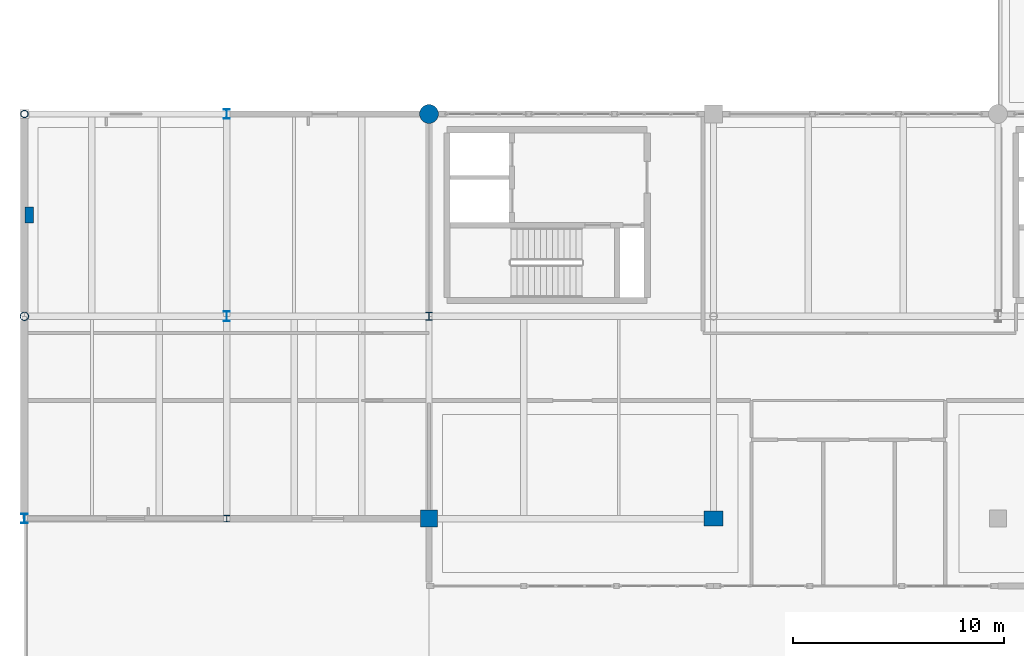
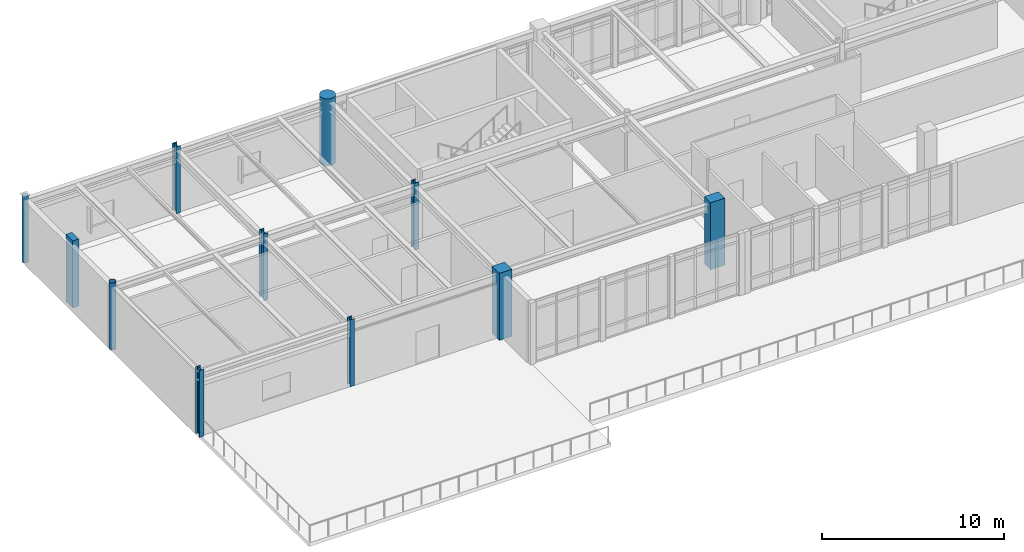
# One storey, part 1 of 55: 11 columns.
"""IFC4 building model written with IfcOpenShell, lengths in metres."""

from ifc_helpers import new_model, si_unit, direction, frame, origin, origin_2d, place, context, subcontext, project, spatial, rectangle, circle, hollow_circle, i_section, extrude, material, material_profile, profile_set, type_object, element, save


model = new_model("IFC4")

# Units and contexts
model_context = context("Model", 3, precision=1e-05, world=origin(), true_north=direction((0.0, 1.0)))
body_context = subcontext(model_context, "Body", "Model", "MODEL_VIEW")
ifc_project = project(units=[si_unit("LENGTHUNIT", "METRE"), si_unit("AREAUNIT", "SQUARE_METRE"), si_unit("VOLUMEUNIT", "CUBIC_METRE"), si_unit("PLANEANGLEUNIT", "RADIAN"), si_unit("MASSUNIT", "GRAM", prefix="KILO")], contexts=[model_context])

# Site, building, storey
site_placement = place(None, origin())
site = spatial("IfcSite", under=ifc_project, at=site_placement, CompositionType="ELEMENT")
building_placement = place(site_placement, origin())
building = spatial("IfcBuilding", under=site, at=building_placement, Name="Fikremerkos Civic Library", CompositionType="ELEMENT")
storey_placement = place(building_placement, frame((0.0, 0.0, 18.89990234375)))
storey = spatial("IfcBuildingStorey", under=building, at=storey_placement, Name="L04", CompositionType="ELEMENT", Elevation=18.89990234375)

# Columns
ifc_material_1 = material(Name="Concrete C40/50", Category="concrete")
ifc_material_profile_1 = material_profile(ifc_material_1, rectangle(XDim=0.800048828125, YDim=0.800048828125, at=origin_2d()), Name="RC 800x800")
ifc_profile_set_1 = profile_set([ifc_material_profile_1], Name="Concrete C40/50")
column_type_1 = type_object("IfcColumnType", Name="Structural column COL-05 RC 800x800", PredefinedType="COLUMN", material=ifc_profile_set_1)
column_1_placement = place(storey_placement, frame((19.199951171875, 12.0, 0.0), z_axis=(0.0, 0.0, 1.0), x_axis=(1.0, 0.0, 0.0)))
element("IfcColumn", 1, at=column_1_placement, inside=storey, type_object=column_type_1, Name="Column COL-05 L04 3/E", PredefinedType="COLUMN", context=body_context, shape_type="SweptSolid", body=[
    extrude(rectangle(XDim=0.800048828125, YDim=0.800048828125, at=origin_2d()), origin(), (0.0, 0.0, 1.0), 4.5),
])
ifc_material_profile_2 = material_profile(ifc_material_1, rectangle(XDim=0.89990234375, YDim=0.699951171875, at=origin_2d()), Name="RC 900x700")
ifc_profile_set_2 = profile_set([ifc_material_profile_2], Name="Concrete C40/50")
column_type_2 = type_object("IfcColumnType", Name="Structural column COL-13 RC 900x700", PredefinedType="COLUMN", material=ifc_profile_set_2)
column_2_placement = place(storey_placement, frame((32.699951171875, 12.0, 0.0), z_axis=(0.0, 0.0, 1.0), x_axis=(1.0, 0.0, 0.0)))
element("IfcColumn", 2, at=column_2_placement, inside=storey, type_object=column_type_2, Name="Column COL-13 L04 4/E", PredefinedType="COLUMN", context=body_context, shape_type="SweptSolid", body=[
    extrude(rectangle(XDim=0.89990234375, YDim=0.699951171875, at=origin_2d()), origin(), (0.0, 0.0, 1.0), 4.5),
])
ifc_material_2 = material(Name="Concrete C45/55", Category="concrete")
ifc_material_profile_3 = material_profile(ifc_material_2, circle(Radius=0.449951171875, at=origin_2d()), Name="RC D900")
ifc_profile_set_3 = profile_set([ifc_material_profile_3], Name="Concrete C45/55")
column_type_3 = type_object("IfcColumnType", Name="Structural column COL-17 RC D900", PredefinedType="COLUMN", material=ifc_profile_set_3)
column_3_placement = place(storey_placement, frame((19.199951171875, 31.199951171875, 0.0), z_axis=(0.0, 0.0, 1.0), x_axis=(1.0, 0.0, 0.0)))
element("IfcColumn", 3, at=column_3_placement, inside=storey, type_object=column_type_3, Name="Column COL-17 L04 3/G", PredefinedType="COLUMN", context=body_context, shape_type="SweptSolid", body=[
    extrude(circle(Radius=0.449951171875, at=origin_2d()), origin(), (0.0, 0.0, 1.0), 4.5),
])
ifc_material_3 = material(Name="Steel S355", Category="steel")
ifc_material_profile_4 = material_profile(ifc_material_3, i_section(OverallWidth=0.300048828125, OverallDepth=0.360107421875, WebThickness=0.012451171875, FlangeThickness=0.0224609375, FilletRadius=0.027099609375, at=origin_2d()), Name="HEB 360")
ifc_profile_set_4 = profile_set([ifc_material_profile_4], Name="Steel S355")
column_type_4 = type_object("IfcColumnType", Name="Structural column COL-25 HEB 360", PredefinedType="COLUMN", material=ifc_profile_set_4)
column_4_placement = place(storey_placement, frame((19.199951171875, 21.60009765625, 0.0), z_axis=(0.0, 0.0, 1.0), x_axis=(1.0, 0.0, 0.0)))
element("IfcColumn", 4, at=column_4_placement, inside=storey, type_object=column_type_4, Name="Column COL-25 L04 3/F", PredefinedType="COLUMN", context=body_context, shape_type="SweptSolid", body=[
    extrude(i_section(OverallWidth=0.300048828125, OverallDepth=0.360107421875, WebThickness=0.012451171875, FlangeThickness=0.0224609375, FilletRadius=0.027099609375, at=origin_2d()), origin(), (0.0, 0.0, 1.0), 4.5),
])
ifc_material_profile_5 = material_profile(ifc_material_3, i_section(OverallWidth=0.300048828125, OverallDepth=0.320068359375, WebThickness=0.011474609375, FlangeThickness=0.0205078125, FilletRadius=0.027099609375, at=origin_2d()), Name="HEB 320")
ifc_profile_set_5 = profile_set([ifc_material_profile_5], Name="Steel S355")
column_type_5 = type_object("IfcColumnType", Name="Structural column COL-26 HEB 320", PredefinedType="COLUMN", material=ifc_profile_set_5)
column_5_placement = place(storey_placement, frame((9.60009765625, 12.0, 0.0), z_axis=(0.0, 0.0, 1.0), x_axis=(1.0, 0.0, 0.0)))
element("IfcColumn", 5, at=column_5_placement, inside=storey, type_object=column_type_5, Name="Column COL-26 L04 2/E", PredefinedType="COLUMN", context=body_context, shape_type="SweptSolid", body=[
    extrude(i_section(OverallWidth=0.300048828125, OverallDepth=0.320068359375, WebThickness=0.011474609375, FlangeThickness=0.0205078125, FilletRadius=0.027099609375, at=origin_2d()), origin(), (0.0, 0.0, 1.0), 4.5),
])
ifc_material_profile_6 = material_profile(ifc_material_3, i_section(OverallWidth=0.300048828125, OverallDepth=0.489990234375, WebThickness=0.011962890625, FlangeThickness=0.02294921875, FilletRadius=0.027099609375, at=origin_2d()), Name="HEA 500")
ifc_profile_set_6 = profile_set([ifc_material_profile_6], Name="Steel S355")
column_type_6 = type_object("IfcColumnType", Name="Structural column COL-27 HEA 500", PredefinedType="COLUMN", material=ifc_profile_set_6)
column_6_placement = place(storey_placement, frame((9.60009765625, 21.60009765625, 0.0), z_axis=(0.0, 0.0, 1.0), x_axis=(1.0, 0.0, 0.0)))
element("IfcColumn", 6, at=column_6_placement, inside=storey, type_object=column_type_6, Name="Column COL-27 L04 2/F", PredefinedType="COLUMN", context=body_context, shape_type="SweptSolid", body=[
    extrude(i_section(OverallWidth=0.300048828125, OverallDepth=0.489990234375, WebThickness=0.011962890625, FlangeThickness=0.02294921875, FilletRadius=0.027099609375, at=origin_2d()), origin(), (0.0, 0.0, 1.0), 4.5),
])
ifc_material_profile_7 = material_profile(ifc_material_3, i_section(OverallWidth=0.300048828125, OverallDepth=0.43994140625, WebThickness=0.011474609375, FlangeThickness=0.02099609375, FilletRadius=0.027099609375, at=origin_2d()), Name="HEA 450")
ifc_profile_set_7 = profile_set([ifc_material_profile_7], Name="Steel S355")
column_type_7 = type_object("IfcColumnType", Name="Structural column COL-28 HEA 450", PredefinedType="COLUMN", material=ifc_profile_set_7)
for number, where, z_axis, x_axis, name in (
    (7, (0.0, 12.0, 0.0), (0.0, 0.0, 1.0), (1.0, 0.0, 0.0), "Column COL-28 L04 1/E"),
    (8, (9.60009765625, 31.199951171875, 0.0), (0.0, 0.0, 1.0), (1.0, 0.0, 0.0), "Column COL-28 L04 2/G"),
):
    element("IfcColumn", number, at=place(storey_placement, frame(where, z_axis=z_axis, x_axis=x_axis)), inside=storey, type_object=column_type_7, Name=name, PredefinedType="COLUMN", context=body_context, shape_type="SweptSolid", body=[
        extrude(i_section(OverallWidth=0.300048828125, OverallDepth=0.43994140625, WebThickness=0.011474609375, FlangeThickness=0.02099609375, FilletRadius=0.027099609375, at=origin_2d()), origin(), (0.0, 0.0, 1.0), 4.5),
    ])
ifc_material_profile_8 = material_profile(ifc_material_3, hollow_circle(Radius=0.203125, WallThickness=0.01611328125, at=origin_2d()), Name="CHS 406.4x16")
ifc_profile_set_8 = profile_set([ifc_material_profile_8], Name="Steel S355")
column_type_8 = type_object("IfcColumnType", Name="Structural column COL-29 CHS 406.4x16", PredefinedType="COLUMN", material=ifc_profile_set_8)
column_7_placement = place(storey_placement, frame((0.0, 21.60009765625, 0.0), z_axis=(0.0, 0.0, 1.0), x_axis=(1.0, 0.0, 0.0)))
element("IfcColumn", 9, at=column_7_placement, inside=storey, type_object=column_type_8, Name="Column COL-29 L04 1/F", PredefinedType="COLUMN", context=body_context, shape_type="SweptSolid", body=[
    extrude(hollow_circle(Radius=0.203125, WallThickness=0.01611328125, at=origin_2d()), origin(), (0.0, 0.0, 1.0), 4.5),
])
ifc_material_profile_9 = material_profile(ifc_material_3, hollow_circle(Radius=0.177734375, WallThickness=0.01416015625, at=origin_2d()), Name="CHS 355.6x14.2")
ifc_profile_set_9 = profile_set([ifc_material_profile_9], Name="Steel S355")
column_type_9 = type_object("IfcColumnType", Name="Structural column COL-30 CHS 355.6x14.2", PredefinedType="COLUMN", material=ifc_profile_set_9)
column_8_placement = place(storey_placement, frame((0.0, 31.199951171875, 0.0), z_axis=(0.0, 0.0, 1.0), x_axis=(1.0, 0.0, 0.0)))
element("IfcColumn", 10, at=column_8_placement, inside=storey, type_object=column_type_9, Name="Column COL-30 L04 1/G", PredefinedType="COLUMN", context=body_context, shape_type="SweptSolid", body=[
    extrude(hollow_circle(Radius=0.177734375, WallThickness=0.01416015625, at=origin_2d()), origin(), (0.0, 0.0, 1.0), 4.5),
])
ifc_material_profile_10 = material_profile(ifc_material_1, rectangle(XDim=0.39990234375, YDim=0.75, at=origin_2d()), Name="RC 400x750")
ifc_profile_set_10 = profile_set([ifc_material_profile_10], Name="Concrete C40/50")
column_type_10 = type_object("IfcColumnType", Name="Wall pilaster PIL-02 RC 400x750", PredefinedType="PILASTER", material=ifc_profile_set_10)
column_9_placement = place(storey_placement, frame((0.219970703125, 26.39990234375, 0.0), z_axis=(0.0, 0.0, 1.0), x_axis=(1.0, 0.0, 0.0)))
element("IfcColumn", 11, at=column_9_placement, inside=storey, type_object=column_type_10, Name="Wall pilaster PIL-02 L04 W3", PredefinedType="PILASTER", context=body_context, shape_type="SweptSolid", body=[
    extrude(rectangle(XDim=0.39990234375, YDim=0.75, at=origin_2d()), origin(), (0.0, 0.0, 1.0), 4.5),
])

save(model, "model.ifc")
